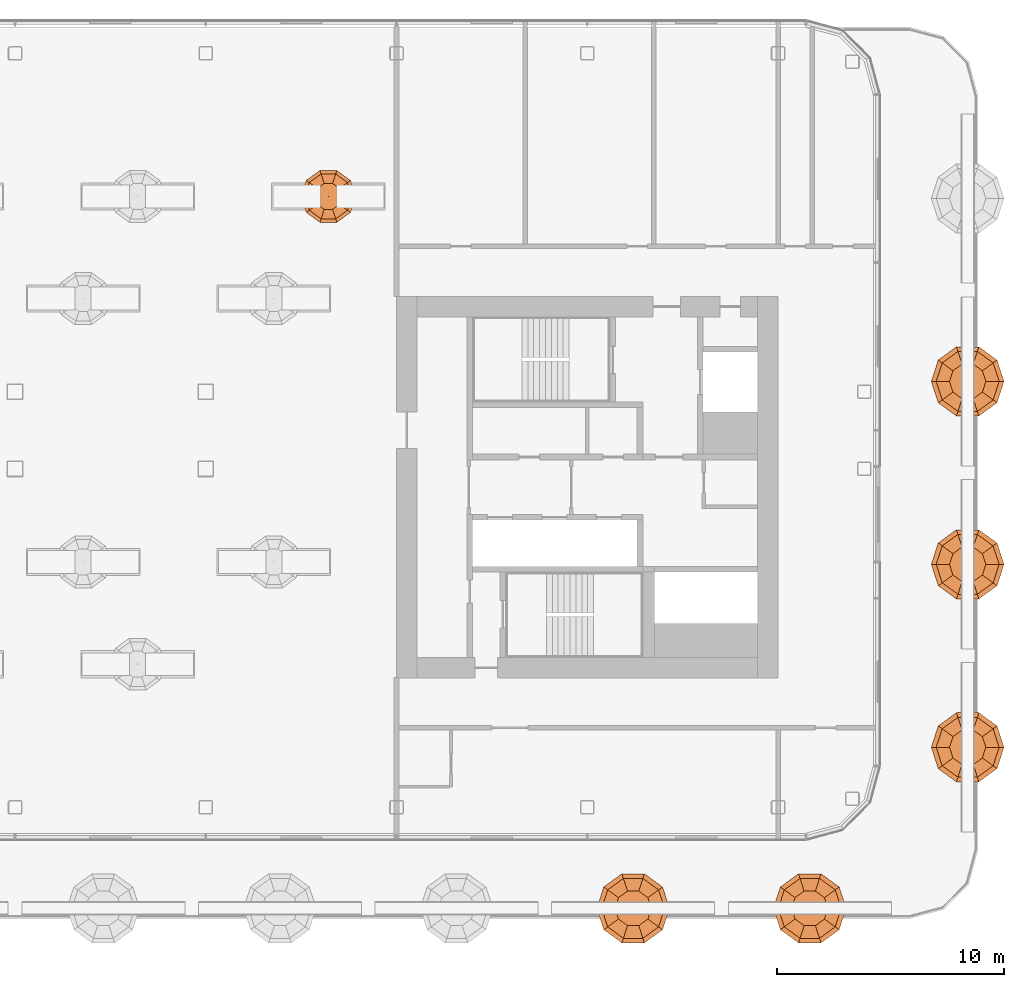
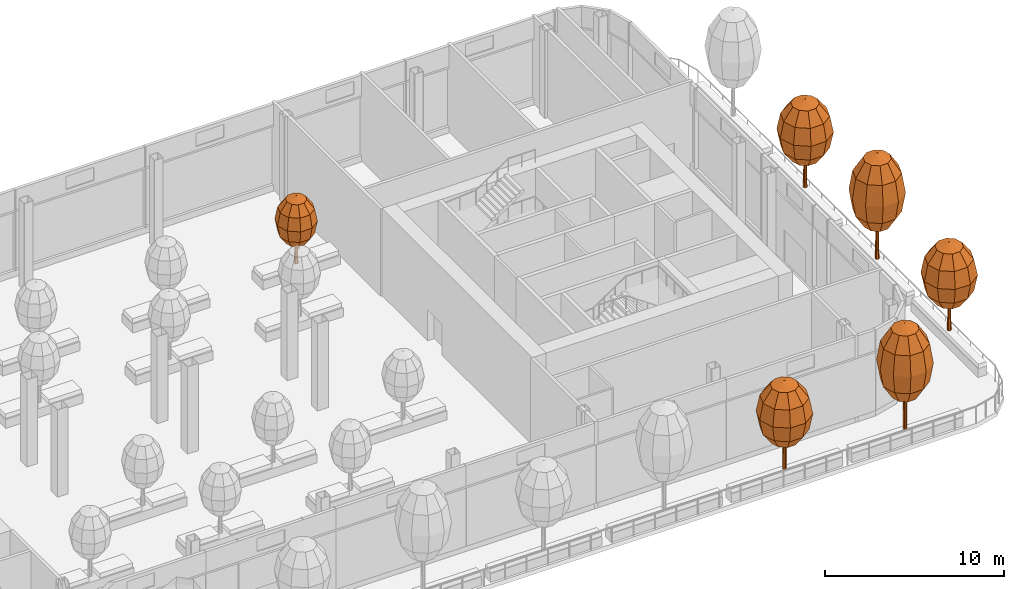
# One storey, part 40 of 41: 6 geographic elements.
"""IFC4 building model written with IfcOpenShell, lengths in metres."""

from ifc_helpers import new_model, si_unit, direction, frame, origin, place, context, subcontext, project, spatial, triangles, material, type_object, element, save


model = new_model("IFC4")

# Units and contexts
model_context = context("Model", 3, precision=1e-05, world=origin(), true_north=direction((0.0, 1.0)))
body_context = subcontext(model_context, "Body", "Model", "MODEL_VIEW")
ifc_project = project(units=[si_unit("LENGTHUNIT", "METRE"), si_unit("AREAUNIT", "SQUARE_METRE"), si_unit("VOLUMEUNIT", "CUBIC_METRE"), si_unit("PLANEANGLEUNIT", "RADIAN"), si_unit("MASSUNIT", "GRAM", prefix="KILO")], contexts=[model_context])

# Site, building, storey
site_placement = place(None, origin())
site = spatial("IfcSite", under=ifc_project, at=site_placement, CompositionType="ELEMENT")
building_placement = place(site_placement, origin())
building = spatial("IfcBuilding", under=site, at=building_placement, Name="Hakoniwa Tower and Hamabe Station Hall", CompositionType="ELEMENT")
storey_placement = place(building_placement, frame((0.0, 0.0, 180.199951171875)))
storey = spatial("IfcBuildingStorey", under=building, at=storey_placement, Name="L51", CompositionType="ELEMENT", Elevation=180.199951171875)

# Geographic elements
ifc_material_1 = material(Name="Tree foliage")
geographic_element_type_1 = type_object("IfcGeographicElementType", Name="Camellia 4.6 m", PredefinedType="USERDEFINED", material=ifc_material_1)
geographic_element_1_placement = place(storey_placement, frame((13.800048828125, 12.800048828125, 0.60009765625)))
element("IfcGeographicElement", 1, at=geographic_element_1_placement, inside=storey, type_object=geographic_element_type_1, Name="Camellia 4-6 m", ObjectType="TREE", PredefinedType="USERDEFINED", context=body_context, shape_type="Tessellation", body=[
    triangles([(0.125, 0.0, 0.0), (0.08837890625, 0.08837890625, 0.0), (0.0, 0.125, 0.0), (-0.08837890625, 0.08837890625, 0.0), (-0.125, 0.0, 0.0), (-0.08837890625, -0.08837890625, 0.0), (0.0, -0.125, 0.0), (0.08837890625, -0.08837890625, 0.0), (0.074951171875, 0.0, 2.778564453125), (0.052978515625, 0.052978515625, 2.778564453125), (0.0, 0.074951171875, 2.778564453125), (-0.052978515625, 0.052978515625, 2.778564453125), (-0.074951171875, 0.0, 2.778564453125), (-0.052978515625, -0.052978515625, 2.778564453125), (0.0, -0.074951171875, 2.778564453125), (0.052978515625, -0.052978515625, 2.778564453125), (0.0, 0.0, 0.0), (0.0, 0.0, 2.778564453125)], [[1, 2, 10], [1, 10, 9], [17, 2, 1], [18, 9, 10], [2, 3, 11], [2, 11, 10], [17, 3, 2], [18, 10, 11], [3, 4, 12], [3, 12, 11], [17, 4, 3], [18, 11, 12], [4, 5, 13], [4, 13, 12], [17, 5, 4], [18, 12, 13], [5, 6, 14], [5, 14, 13], [17, 6, 5], [18, 13, 14], [6, 7, 15], [6, 15, 14], [17, 7, 6], [18, 14, 15], [7, 8, 16], [7, 16, 15], [17, 8, 7], [18, 15, 16], [8, 1, 9], [8, 9, 16], [17, 1, 8], [18, 16, 9]], closed=True),
    triangles([(0.0, 0.0, 1.2880859375), (0.599853515625, 0.0, 1.510009765625), (0.4853515625, 0.3525390625, 1.510009765625), (0.185302734375, 0.570556640625, 1.510009765625), (-0.185302734375, 0.570556640625, 1.510009765625), (-0.4853515625, 0.3525390625, 1.510009765625), (-0.599853515625, 0.0, 1.510009765625), (-0.4853515625, -0.3525390625, 1.510009765625), (-0.185302734375, -0.570556640625, 1.510009765625), (0.185302734375, -0.570556640625, 1.510009765625), (0.4853515625, -0.3525390625, 1.510009765625), (1.039306640625, 0.0, 2.115966796875), (0.8408203125, 0.61083984375, 2.115966796875), (0.321044921875, 0.98828125, 2.115966796875), (-0.321044921875, 0.98828125, 2.115966796875), (-0.8408203125, 0.61083984375, 2.115966796875), (-1.039306640625, 0.0, 2.115966796875), (-0.8408203125, -0.61083984375, 2.115966796875), (-0.321044921875, -0.98828125, 2.115966796875), (0.321044921875, -0.98828125, 2.115966796875), (0.8408203125, -0.61083984375, 2.115966796875), (1.199951171875, 0.0, 2.944091796875), (0.970703125, 0.705322265625, 2.944091796875), (0.370849609375, 1.14111328125, 2.944091796875), (-0.370849609375, 1.14111328125, 2.944091796875), (-0.970703125, 0.705322265625, 2.944091796875), (-1.199951171875, 0.0, 2.944091796875), (-0.970703125, -0.705322265625, 2.944091796875), (-0.370849609375, -1.14111328125, 2.944091796875), (0.370849609375, -1.14111328125, 2.944091796875), (0.970703125, -0.705322265625, 2.944091796875), (1.039306640625, 0.0, 3.77197265625), (0.8408203125, 0.61083984375, 3.77197265625), (0.321044921875, 0.98828125, 3.77197265625), (-0.321044921875, 0.98828125, 3.77197265625), (-0.8408203125, 0.61083984375, 3.77197265625), (-1.039306640625, 0.0, 3.77197265625), (-0.8408203125, -0.61083984375, 3.77197265625), (-0.321044921875, -0.98828125, 3.77197265625), (0.321044921875, -0.98828125, 3.77197265625), (0.8408203125, -0.61083984375, 3.77197265625), (0.599853515625, 0.0, 4.378173828125), (0.4853515625, 0.3525390625, 4.378173828125), (0.185302734375, 0.570556640625, 4.378173828125), (-0.185302734375, 0.570556640625, 4.378173828125), (-0.4853515625, 0.3525390625, 4.378173828125), (-0.599853515625, 0.0, 4.378173828125), (-0.4853515625, -0.3525390625, 4.378173828125), (-0.185302734375, -0.570556640625, 4.378173828125), (0.185302734375, -0.570556640625, 4.378173828125), (0.4853515625, -0.3525390625, 4.378173828125), (0.0, 0.0, 4.60009765625)], [[1, 3, 2], [1, 4, 3], [1, 5, 4], [1, 6, 5], [1, 7, 6], [1, 8, 7], [1, 9, 8], [1, 10, 9], [1, 11, 10], [1, 2, 11], [2, 3, 13], [2, 13, 12], [3, 4, 14], [3, 14, 13], [4, 5, 15], [4, 15, 14], [5, 6, 16], [5, 16, 15], [6, 7, 17], [6, 17, 16], [7, 8, 18], [7, 18, 17], [8, 9, 19], [8, 19, 18], [9, 10, 20], [9, 20, 19], [10, 11, 21], [10, 21, 20], [11, 2, 12], [11, 12, 21], [12, 13, 23], [12, 23, 22], [13, 14, 24], [13, 24, 23], [14, 15, 25], [14, 25, 24], [15, 16, 26], [15, 26, 25], [16, 17, 27], [16, 27, 26], [17, 18, 28], [17, 28, 27], [18, 19, 29], [18, 29, 28], [19, 20, 30], [19, 30, 29], [20, 21, 31], [20, 31, 30], [21, 12, 22], [21, 22, 31], [22, 23, 33], [22, 33, 32], [23, 24, 34], [23, 34, 33], [24, 25, 35], [24, 35, 34], [25, 26, 36], [25, 36, 35], [26, 27, 37], [26, 37, 36], [27, 28, 38], [27, 38, 37], [28, 29, 39], [28, 39, 38], [29, 30, 40], [29, 40, 39], [30, 31, 41], [30, 41, 40], [31, 22, 32], [31, 32, 41], [32, 33, 43], [32, 43, 42], [33, 34, 44], [33, 44, 43], [34, 35, 45], [34, 45, 44], [35, 36, 46], [35, 46, 45], [36, 37, 47], [36, 47, 46], [37, 38, 48], [37, 48, 47], [38, 39, 49], [38, 49, 48], [39, 40, 50], [39, 50, 49], [40, 41, 51], [40, 51, 50], [41, 32, 42], [41, 42, 51], [52, 42, 43], [52, 43, 44], [52, 44, 45], [52, 45, 46], [52, 46, 47], [52, 47, 48], [52, 48, 49], [52, 49, 50], [52, 50, 51], [52, 51, 42]], closed=True),
])
ifc_material_2 = material(Name="Tree foliage")
geographic_element_type_2 = type_object("IfcGeographicElementType", Name="Japanese maple 7.2 m", PredefinedType="USERDEFINED", material=ifc_material_2)
geographic_element_2_placement = place(storey_placement, frame((34.998046875, -18.551025390625, 0.900146484375)))
element("IfcGeographicElement", 2, at=geographic_element_2_placement, inside=storey, type_object=geographic_element_type_2, Name="Japanese maple 7-2 m", ObjectType="TREE", PredefinedType="USERDEFINED", context=body_context, shape_type="Tessellation", body=[
    triangles([(0.125, 0.0, 0.0), (0.08837890625, 0.08837890625, 0.0), (0.0, 0.125, 0.0), (-0.08837890625, 0.08837890625, 0.0), (-0.125, 0.0, 0.0), (-0.08837890625, -0.08837890625, 0.0), (0.0, -0.125, 0.0), (0.08837890625, -0.08837890625, 0.0), (0.074951171875, 0.0, 4.348876953125), (0.052978515625, 0.052978515625, 4.348876953125), (0.0, 0.074951171875, 4.348876953125), (-0.052978515625, 0.052978515625, 4.348876953125), (-0.074951171875, 0.0, 4.348876953125), (-0.052978515625, -0.052978515625, 4.348876953125), (0.0, -0.074951171875, 4.348876953125), (0.052978515625, -0.052978515625, 4.348876953125), (0.0, 0.0, 0.0), (0.0, 0.0, 4.348876953125)], [[1, 2, 10], [1, 10, 9], [17, 2, 1], [18, 9, 10], [2, 3, 11], [2, 11, 10], [17, 3, 2], [18, 10, 11], [3, 4, 12], [3, 12, 11], [17, 4, 3], [18, 11, 12], [4, 5, 13], [4, 13, 12], [17, 5, 4], [18, 12, 13], [5, 6, 14], [5, 14, 13], [17, 6, 5], [18, 13, 14], [6, 7, 15], [6, 15, 14], [17, 7, 6], [18, 14, 15], [7, 8, 16], [7, 16, 15], [17, 8, 7], [18, 15, 16], [8, 1, 9], [8, 9, 16], [17, 1, 8], [18, 16, 9]], closed=True),
    triangles([(0.0, 0.0, 2.015869140625), (0.800048828125, 0.0, 2.36328125), (0.647216796875, 0.47021484375, 2.36328125), (0.247314453125, 0.7607421875, 2.36328125), (-0.247314453125, 0.7607421875, 2.36328125), (-0.647216796875, 0.47021484375, 2.36328125), (-0.800048828125, 0.0, 2.36328125), (-0.647216796875, -0.47021484375, 2.36328125), (-0.247314453125, -0.7607421875, 2.36328125), (0.247314453125, -0.7607421875, 2.36328125), (0.647216796875, -0.47021484375, 2.36328125), (1.385498046875, 0.0, 3.31201171875), (1.12109375, 0.814453125, 3.31201171875), (0.42822265625, 1.31787109375, 3.31201171875), (-0.42822265625, 1.31787109375, 3.31201171875), (-1.12109375, 0.814453125, 3.31201171875), (-1.385498046875, 0.0, 3.31201171875), (-1.12109375, -0.814453125, 3.31201171875), (-0.42822265625, -1.31787109375, 3.31201171875), (0.42822265625, -1.31787109375, 3.31201171875), (1.12109375, -0.814453125, 3.31201171875), (1.60009765625, 0.0, 4.60791015625), (1.29443359375, 0.9404296875, 4.60791015625), (0.494384765625, 1.521728515625, 4.60791015625), (-0.494384765625, 1.521728515625, 4.60791015625), (-1.29443359375, 0.9404296875, 4.60791015625), (-1.60009765625, 0.0, 4.60791015625), (-1.29443359375, -0.9404296875, 4.60791015625), (-0.494384765625, -1.521728515625, 4.60791015625), (0.494384765625, -1.521728515625, 4.60791015625), (1.29443359375, -0.9404296875, 4.60791015625), (1.385498046875, 0.0, 5.904052734375), (1.12109375, 0.814453125, 5.904052734375), (0.42822265625, 1.31787109375, 5.904052734375), (-0.42822265625, 1.31787109375, 5.904052734375), (-1.12109375, 0.814453125, 5.904052734375), (-1.385498046875, 0.0, 5.904052734375), (-1.12109375, -0.814453125, 5.904052734375), (-0.42822265625, -1.31787109375, 5.904052734375), (0.42822265625, -1.31787109375, 5.904052734375), (1.12109375, -0.814453125, 5.904052734375), (0.800048828125, 0.0, 6.852783203125), (0.647216796875, 0.47021484375, 6.852783203125), (0.247314453125, 0.7607421875, 6.852783203125), (-0.247314453125, 0.7607421875, 6.852783203125), (-0.647216796875, 0.47021484375, 6.852783203125), (-0.800048828125, 0.0, 6.852783203125), (-0.647216796875, -0.47021484375, 6.852783203125), (-0.247314453125, -0.7607421875, 6.852783203125), (0.247314453125, -0.7607421875, 6.852783203125), (0.647216796875, -0.47021484375, 6.852783203125), (0.0, 0.0, 7.199951171875)], [[1, 3, 2], [1, 4, 3], [1, 5, 4], [1, 6, 5], [1, 7, 6], [1, 8, 7], [1, 9, 8], [1, 10, 9], [1, 11, 10], [1, 2, 11], [2, 3, 13], [2, 13, 12], [3, 4, 14], [3, 14, 13], [4, 5, 15], [4, 15, 14], [5, 6, 16], [5, 16, 15], [6, 7, 17], [6, 17, 16], [7, 8, 18], [7, 18, 17], [8, 9, 19], [8, 19, 18], [9, 10, 20], [9, 20, 19], [10, 11, 21], [10, 21, 20], [11, 2, 12], [11, 12, 21], [12, 13, 23], [12, 23, 22], [13, 14, 24], [13, 24, 23], [14, 15, 25], [14, 25, 24], [15, 16, 26], [15, 26, 25], [16, 17, 27], [16, 27, 26], [17, 18, 28], [17, 28, 27], [18, 19, 29], [18, 29, 28], [19, 20, 30], [19, 30, 29], [20, 21, 31], [20, 31, 30], [21, 12, 22], [21, 22, 31], [22, 23, 33], [22, 33, 32], [23, 24, 34], [23, 34, 33], [24, 25, 35], [24, 35, 34], [25, 26, 36], [25, 36, 35], [26, 27, 37], [26, 37, 36], [27, 28, 38], [27, 38, 37], [28, 29, 39], [28, 39, 38], [29, 30, 40], [29, 40, 39], [30, 31, 41], [30, 41, 40], [31, 22, 32], [31, 32, 41], [32, 33, 43], [32, 43, 42], [33, 34, 44], [33, 44, 43], [34, 35, 45], [34, 45, 44], [35, 36, 46], [35, 46, 45], [36, 37, 47], [36, 47, 46], [37, 38, 48], [37, 48, 47], [38, 39, 49], [38, 49, 48], [39, 40, 50], [39, 50, 49], [40, 41, 51], [40, 51, 50], [41, 32, 42], [41, 42, 51], [52, 42, 43], [52, 43, 44], [52, 44, 45], [52, 45, 46], [52, 46, 47], [52, 47, 48], [52, 48, 49], [52, 49, 50], [52, 50, 51], [52, 51, 42]], closed=True),
])
geographic_element_3_placement = place(storey_placement, frame((41.950927734375, -3.403076171875, 0.900146484375)))
element("IfcGeographicElement", 3, at=geographic_element_3_placement, inside=storey, type_object=geographic_element_type_2, Name="Japanese maple 7-2 m", ObjectType="TREE", PredefinedType="USERDEFINED", context=body_context, shape_type="Tessellation", body=[
    triangles([(0.125, 0.0, 0.0), (0.08837890625, 0.08837890625, 0.0), (0.0, 0.125, 0.0), (-0.08837890625, 0.08837890625, 0.0), (-0.125, 0.0, 0.0), (-0.08837890625, -0.08837890625, 0.0), (0.0, -0.125, 0.0), (0.08837890625, -0.08837890625, 0.0), (0.074951171875, 0.0, 4.348876953125), (0.052978515625, 0.052978515625, 4.348876953125), (0.0, 0.074951171875, 4.348876953125), (-0.052978515625, 0.052978515625, 4.348876953125), (-0.074951171875, 0.0, 4.348876953125), (-0.052978515625, -0.052978515625, 4.348876953125), (0.0, -0.074951171875, 4.348876953125), (0.052978515625, -0.052978515625, 4.348876953125), (0.0, 0.0, 0.0), (0.0, 0.0, 4.348876953125)], [[1, 2, 10], [1, 10, 9], [17, 2, 1], [18, 9, 10], [2, 3, 11], [2, 11, 10], [17, 3, 2], [18, 10, 11], [3, 4, 12], [3, 12, 11], [17, 4, 3], [18, 11, 12], [4, 5, 13], [4, 13, 12], [17, 5, 4], [18, 12, 13], [5, 6, 14], [5, 14, 13], [17, 6, 5], [18, 13, 14], [6, 7, 15], [6, 15, 14], [17, 7, 6], [18, 14, 15], [7, 8, 16], [7, 16, 15], [17, 8, 7], [18, 15, 16], [8, 1, 9], [8, 9, 16], [17, 1, 8], [18, 16, 9]], closed=True),
    triangles([(0.0, 0.0, 2.015869140625), (0.800048828125, 0.0, 2.36328125), (0.647216796875, 0.47021484375, 2.36328125), (0.247314453125, 0.7607421875, 2.36328125), (-0.247314453125, 0.7607421875, 2.36328125), (-0.647216796875, 0.47021484375, 2.36328125), (-0.800048828125, 0.0, 2.36328125), (-0.647216796875, -0.47021484375, 2.36328125), (-0.247314453125, -0.7607421875, 2.36328125), (0.247314453125, -0.7607421875, 2.36328125), (0.647216796875, -0.47021484375, 2.36328125), (1.385498046875, 0.0, 3.31201171875), (1.12109375, 0.814453125, 3.31201171875), (0.42822265625, 1.31787109375, 3.31201171875), (-0.42822265625, 1.31787109375, 3.31201171875), (-1.12109375, 0.814453125, 3.31201171875), (-1.385498046875, 0.0, 3.31201171875), (-1.12109375, -0.814453125, 3.31201171875), (-0.42822265625, -1.31787109375, 3.31201171875), (0.42822265625, -1.31787109375, 3.31201171875), (1.12109375, -0.814453125, 3.31201171875), (1.60009765625, 0.0, 4.60791015625), (1.29443359375, 0.9404296875, 4.60791015625), (0.494384765625, 1.521728515625, 4.60791015625), (-0.494384765625, 1.521728515625, 4.60791015625), (-1.29443359375, 0.9404296875, 4.60791015625), (-1.60009765625, 0.0, 4.60791015625), (-1.29443359375, -0.9404296875, 4.60791015625), (-0.494384765625, -1.521728515625, 4.60791015625), (0.494384765625, -1.521728515625, 4.60791015625), (1.29443359375, -0.9404296875, 4.60791015625), (1.385498046875, 0.0, 5.904052734375), (1.12109375, 0.814453125, 5.904052734375), (0.42822265625, 1.31787109375, 5.904052734375), (-0.42822265625, 1.31787109375, 5.904052734375), (-1.12109375, 0.814453125, 5.904052734375), (-1.385498046875, 0.0, 5.904052734375), (-1.12109375, -0.814453125, 5.904052734375), (-0.42822265625, -1.31787109375, 5.904052734375), (0.42822265625, -1.31787109375, 5.904052734375), (1.12109375, -0.814453125, 5.904052734375), (0.800048828125, 0.0, 6.852783203125), (0.647216796875, 0.47021484375, 6.852783203125), (0.247314453125, 0.7607421875, 6.852783203125), (-0.247314453125, 0.7607421875, 6.852783203125), (-0.647216796875, 0.47021484375, 6.852783203125), (-0.800048828125, 0.0, 6.852783203125), (-0.647216796875, -0.47021484375, 6.852783203125), (-0.247314453125, -0.7607421875, 6.852783203125), (0.247314453125, -0.7607421875, 6.852783203125), (0.647216796875, -0.47021484375, 6.852783203125), (0.0, 0.0, 7.199951171875)], [[1, 3, 2], [1, 4, 3], [1, 5, 4], [1, 6, 5], [1, 7, 6], [1, 8, 7], [1, 9, 8], [1, 10, 9], [1, 11, 10], [1, 2, 11], [2, 3, 13], [2, 13, 12], [3, 4, 14], [3, 14, 13], [4, 5, 15], [4, 15, 14], [5, 6, 16], [5, 16, 15], [6, 7, 17], [6, 17, 16], [7, 8, 18], [7, 18, 17], [8, 9, 19], [8, 19, 18], [9, 10, 20], [9, 20, 19], [10, 11, 21], [10, 21, 20], [11, 2, 12], [11, 12, 21], [12, 13, 23], [12, 23, 22], [13, 14, 24], [13, 24, 23], [14, 15, 25], [14, 25, 24], [15, 16, 26], [15, 26, 25], [16, 17, 27], [16, 27, 26], [17, 18, 28], [17, 28, 27], [18, 19, 29], [18, 29, 28], [19, 20, 30], [19, 30, 29], [20, 21, 31], [20, 31, 30], [21, 12, 22], [21, 22, 31], [22, 23, 33], [22, 33, 32], [23, 24, 34], [23, 34, 33], [24, 25, 35], [24, 35, 34], [25, 26, 36], [25, 36, 35], [26, 27, 37], [26, 37, 36], [27, 28, 38], [27, 38, 37], [28, 29, 39], [28, 39, 38], [29, 30, 40], [29, 40, 39], [30, 31, 41], [30, 41, 40], [31, 22, 32], [31, 32, 41], [32, 33, 43], [32, 43, 42], [33, 34, 44], [33, 44, 43], [34, 35, 45], [34, 45, 44], [35, 36, 46], [35, 46, 45], [36, 37, 47], [36, 47, 46], [37, 38, 48], [37, 48, 47], [38, 39, 49], [38, 49, 48], [39, 40, 50], [39, 50, 49], [40, 41, 51], [40, 51, 50], [41, 32, 42], [41, 42, 51], [52, 42, 43], [52, 43, 44], [52, 44, 45], [52, 45, 46], [52, 46, 47], [52, 47, 48], [52, 48, 49], [52, 49, 50], [52, 50, 51], [52, 51, 42]], closed=True),
])
ifc_material_3 = material(Name="Tree foliage")
geographic_element_type_3 = type_object("IfcGeographicElementType", Name="Osmanthus 6.0 m", PredefinedType="USERDEFINED", material=ifc_material_3)
geographic_element_4_placement = place(storey_placement, frame((27.220703125, -18.551025390625, 0.900146484375)))
element("IfcGeographicElement", 4, at=geographic_element_4_placement, inside=storey, type_object=geographic_element_type_3, Name="Osmanthus 6-0 m", ObjectType="TREE", PredefinedType="USERDEFINED", context=body_context, shape_type="Tessellation", body=[
    triangles([(0.125, 0.0, 0.0), (0.08837890625, 0.08837890625, 0.0), (0.0, 0.125, 0.0), (-0.08837890625, 0.08837890625, 0.0), (-0.125, 0.0, 0.0), (-0.08837890625, -0.08837890625, 0.0), (0.0, -0.125, 0.0), (0.08837890625, -0.08837890625, 0.0), (0.074951171875, 0.0, 3.6240234375), (0.052978515625, 0.052978515625, 3.6240234375), (0.0, 0.074951171875, 3.6240234375), (-0.052978515625, 0.052978515625, 3.6240234375), (-0.074951171875, 0.0, 3.6240234375), (-0.052978515625, -0.052978515625, 3.6240234375), (0.0, -0.074951171875, 3.6240234375), (0.052978515625, -0.052978515625, 3.6240234375), (0.0, 0.0, 0.0), (0.0, 0.0, 3.6240234375)], [[1, 2, 10], [1, 10, 9], [17, 2, 1], [18, 9, 10], [2, 3, 11], [2, 11, 10], [17, 3, 2], [18, 10, 11], [3, 4, 12], [3, 12, 11], [17, 4, 3], [18, 11, 12], [4, 5, 13], [4, 13, 12], [17, 5, 4], [18, 12, 13], [5, 6, 14], [5, 14, 13], [17, 6, 5], [18, 13, 14], [6, 7, 15], [6, 15, 14], [17, 7, 6], [18, 14, 15], [7, 8, 16], [7, 16, 15], [17, 8, 7], [18, 15, 16], [8, 1, 9], [8, 9, 16], [17, 1, 8], [18, 16, 9]], closed=True),
    triangles([(0.0, 0.0, 1.679931640625), (0.800048828125, 0.0, 1.969482421875), (0.647216796875, 0.47021484375, 1.969482421875), (0.247314453125, 0.7607421875, 1.969482421875), (-0.247314453125, 0.7607421875, 1.969482421875), (-0.647216796875, 0.47021484375, 1.969482421875), (-0.800048828125, 0.0, 1.969482421875), (-0.647216796875, -0.47021484375, 1.969482421875), (-0.247314453125, -0.7607421875, 1.969482421875), (0.247314453125, -0.7607421875, 1.969482421875), (0.647216796875, -0.47021484375, 1.969482421875), (1.385498046875, 0.0, 2.760009765625), (1.12109375, 0.814453125, 2.760009765625), (0.42822265625, 1.31787109375, 2.760009765625), (-0.42822265625, 1.31787109375, 2.760009765625), (-1.12109375, 0.814453125, 2.760009765625), (-1.385498046875, 0.0, 2.760009765625), (-1.12109375, -0.814453125, 2.760009765625), (-0.42822265625, -1.31787109375, 2.760009765625), (0.42822265625, -1.31787109375, 2.760009765625), (1.12109375, -0.814453125, 2.760009765625), (1.60009765625, 0.0, 3.840087890625), (1.29443359375, 0.9404296875, 3.840087890625), (0.494384765625, 1.521728515625, 3.840087890625), (-0.494384765625, 1.521728515625, 3.840087890625), (-1.29443359375, 0.9404296875, 3.840087890625), (-1.60009765625, 0.0, 3.840087890625), (-1.29443359375, -0.9404296875, 3.840087890625), (-0.494384765625, -1.521728515625, 3.840087890625), (0.494384765625, -1.521728515625, 3.840087890625), (1.29443359375, -0.9404296875, 3.840087890625), (1.385498046875, 0.0, 4.919921875), (1.12109375, 0.814453125, 4.919921875), (0.42822265625, 1.31787109375, 4.919921875), (-0.42822265625, 1.31787109375, 4.919921875), (-1.12109375, 0.814453125, 4.919921875), (-1.385498046875, 0.0, 4.919921875), (-1.12109375, -0.814453125, 4.919921875), (-0.42822265625, -1.31787109375, 4.919921875), (0.42822265625, -1.31787109375, 4.919921875), (1.12109375, -0.814453125, 4.919921875), (0.800048828125, 0.0, 5.710693359375), (0.647216796875, 0.47021484375, 5.710693359375), (0.247314453125, 0.7607421875, 5.710693359375), (-0.247314453125, 0.7607421875, 5.710693359375), (-0.647216796875, 0.47021484375, 5.710693359375), (-0.800048828125, 0.0, 5.710693359375), (-0.647216796875, -0.47021484375, 5.710693359375), (-0.247314453125, -0.7607421875, 5.710693359375), (0.247314453125, -0.7607421875, 5.710693359375), (0.647216796875, -0.47021484375, 5.710693359375), (0.0, 0.0, 6.0)], [[1, 3, 2], [1, 4, 3], [1, 5, 4], [1, 6, 5], [1, 7, 6], [1, 8, 7], [1, 9, 8], [1, 10, 9], [1, 11, 10], [1, 2, 11], [2, 3, 13], [2, 13, 12], [3, 4, 14], [3, 14, 13], [4, 5, 15], [4, 15, 14], [5, 6, 16], [5, 16, 15], [6, 7, 17], [6, 17, 16], [7, 8, 18], [7, 18, 17], [8, 9, 19], [8, 19, 18], [9, 10, 20], [9, 20, 19], [10, 11, 21], [10, 21, 20], [11, 2, 12], [11, 12, 21], [12, 13, 23], [12, 23, 22], [13, 14, 24], [13, 24, 23], [14, 15, 25], [14, 25, 24], [15, 16, 26], [15, 26, 25], [16, 17, 27], [16, 27, 26], [17, 18, 28], [17, 28, 27], [18, 19, 29], [18, 29, 28], [19, 20, 30], [19, 30, 29], [20, 21, 31], [20, 31, 30], [21, 12, 22], [21, 22, 31], [22, 23, 33], [22, 33, 32], [23, 24, 34], [23, 34, 33], [24, 25, 35], [24, 35, 34], [25, 26, 36], [25, 36, 35], [26, 27, 37], [26, 37, 36], [27, 28, 38], [27, 38, 37], [28, 29, 39], [28, 39, 38], [29, 30, 40], [29, 40, 39], [30, 31, 41], [30, 41, 40], [31, 22, 32], [31, 32, 41], [32, 33, 43], [32, 43, 42], [33, 34, 44], [33, 44, 43], [34, 35, 45], [34, 45, 44], [35, 36, 46], [35, 46, 45], [36, 37, 47], [36, 47, 46], [37, 38, 48], [37, 48, 47], [38, 39, 49], [38, 49, 48], [39, 40, 50], [39, 50, 49], [40, 41, 51], [40, 51, 50], [41, 32, 42], [41, 42, 51], [52, 42, 43], [52, 43, 44], [52, 44, 45], [52, 45, 46], [52, 46, 47], [52, 47, 48], [52, 48, 49], [52, 49, 50], [52, 50, 51], [52, 51, 42]], closed=True),
])
geographic_element_5_placement = place(storey_placement, frame((41.950927734375, -11.458984375, 0.900146484375)))
element("IfcGeographicElement", 5, at=geographic_element_5_placement, inside=storey, type_object=geographic_element_type_3, Name="Osmanthus 6-0 m", ObjectType="TREE", PredefinedType="USERDEFINED", context=body_context, shape_type="Tessellation", body=[
    triangles([(0.125, 0.0, 0.0), (0.08837890625, 0.08837890625, 0.0), (0.0, 0.125, 0.0), (-0.08837890625, 0.08837890625, 0.0), (-0.125, 0.0, 0.0), (-0.08837890625, -0.08837890625, 0.0), (0.0, -0.125, 0.0), (0.08837890625, -0.08837890625, 0.0), (0.074951171875, 0.0, 3.6240234375), (0.052978515625, 0.052978515625, 3.6240234375), (0.0, 0.074951171875, 3.6240234375), (-0.052978515625, 0.052978515625, 3.6240234375), (-0.074951171875, 0.0, 3.6240234375), (-0.052978515625, -0.052978515625, 3.6240234375), (0.0, -0.074951171875, 3.6240234375), (0.052978515625, -0.052978515625, 3.6240234375), (0.0, 0.0, 0.0), (0.0, 0.0, 3.6240234375)], [[1, 2, 10], [1, 10, 9], [17, 2, 1], [18, 9, 10], [2, 3, 11], [2, 11, 10], [17, 3, 2], [18, 10, 11], [3, 4, 12], [3, 12, 11], [17, 4, 3], [18, 11, 12], [4, 5, 13], [4, 13, 12], [17, 5, 4], [18, 12, 13], [5, 6, 14], [5, 14, 13], [17, 6, 5], [18, 13, 14], [6, 7, 15], [6, 15, 14], [17, 7, 6], [18, 14, 15], [7, 8, 16], [7, 16, 15], [17, 8, 7], [18, 15, 16], [8, 1, 9], [8, 9, 16], [17, 1, 8], [18, 16, 9]], closed=True),
    triangles([(0.0, 0.0, 1.679931640625), (0.800048828125, 0.0, 1.969482421875), (0.647216796875, 0.47021484375, 1.969482421875), (0.247314453125, 0.7607421875, 1.969482421875), (-0.247314453125, 0.7607421875, 1.969482421875), (-0.647216796875, 0.47021484375, 1.969482421875), (-0.800048828125, 0.0, 1.969482421875), (-0.647216796875, -0.47021484375, 1.969482421875), (-0.247314453125, -0.7607421875, 1.969482421875), (0.247314453125, -0.7607421875, 1.969482421875), (0.647216796875, -0.47021484375, 1.969482421875), (1.385498046875, 0.0, 2.760009765625), (1.12109375, 0.814453125, 2.760009765625), (0.42822265625, 1.31787109375, 2.760009765625), (-0.42822265625, 1.31787109375, 2.760009765625), (-1.12109375, 0.814453125, 2.760009765625), (-1.385498046875, 0.0, 2.760009765625), (-1.12109375, -0.814453125, 2.760009765625), (-0.42822265625, -1.31787109375, 2.760009765625), (0.42822265625, -1.31787109375, 2.760009765625), (1.12109375, -0.814453125, 2.760009765625), (1.60009765625, 0.0, 3.840087890625), (1.29443359375, 0.9404296875, 3.840087890625), (0.494384765625, 1.521728515625, 3.840087890625), (-0.494384765625, 1.521728515625, 3.840087890625), (-1.29443359375, 0.9404296875, 3.840087890625), (-1.60009765625, 0.0, 3.840087890625), (-1.29443359375, -0.9404296875, 3.840087890625), (-0.494384765625, -1.521728515625, 3.840087890625), (0.494384765625, -1.521728515625, 3.840087890625), (1.29443359375, -0.9404296875, 3.840087890625), (1.385498046875, 0.0, 4.919921875), (1.12109375, 0.814453125, 4.919921875), (0.42822265625, 1.31787109375, 4.919921875), (-0.42822265625, 1.31787109375, 4.919921875), (-1.12109375, 0.814453125, 4.919921875), (-1.385498046875, 0.0, 4.919921875), (-1.12109375, -0.814453125, 4.919921875), (-0.42822265625, -1.31787109375, 4.919921875), (0.42822265625, -1.31787109375, 4.919921875), (1.12109375, -0.814453125, 4.919921875), (0.800048828125, 0.0, 5.710693359375), (0.647216796875, 0.47021484375, 5.710693359375), (0.247314453125, 0.7607421875, 5.710693359375), (-0.247314453125, 0.7607421875, 5.710693359375), (-0.647216796875, 0.47021484375, 5.710693359375), (-0.800048828125, 0.0, 5.710693359375), (-0.647216796875, -0.47021484375, 5.710693359375), (-0.247314453125, -0.7607421875, 5.710693359375), (0.247314453125, -0.7607421875, 5.710693359375), (0.647216796875, -0.47021484375, 5.710693359375), (0.0, 0.0, 6.0)], [[1, 3, 2], [1, 4, 3], [1, 5, 4], [1, 6, 5], [1, 7, 6], [1, 8, 7], [1, 9, 8], [1, 10, 9], [1, 11, 10], [1, 2, 11], [2, 3, 13], [2, 13, 12], [3, 4, 14], [3, 14, 13], [4, 5, 15], [4, 15, 14], [5, 6, 16], [5, 16, 15], [6, 7, 17], [6, 17, 16], [7, 8, 18], [7, 18, 17], [8, 9, 19], [8, 19, 18], [9, 10, 20], [9, 20, 19], [10, 11, 21], [10, 21, 20], [11, 2, 12], [11, 12, 21], [12, 13, 23], [12, 23, 22], [13, 14, 24], [13, 24, 23], [14, 15, 25], [14, 25, 24], [15, 16, 26], [15, 26, 25], [16, 17, 27], [16, 27, 26], [17, 18, 28], [17, 28, 27], [18, 19, 29], [18, 29, 28], [19, 20, 30], [19, 30, 29], [20, 21, 31], [20, 31, 30], [21, 12, 22], [21, 22, 31], [22, 23, 33], [22, 33, 32], [23, 24, 34], [23, 34, 33], [24, 25, 35], [24, 35, 34], [25, 26, 36], [25, 36, 35], [26, 27, 37], [26, 37, 36], [27, 28, 38], [27, 38, 37], [28, 29, 39], [28, 39, 38], [29, 30, 40], [29, 40, 39], [30, 31, 41], [30, 41, 40], [31, 22, 32], [31, 32, 41], [32, 33, 43], [32, 43, 42], [33, 34, 44], [33, 44, 43], [34, 35, 45], [34, 45, 44], [35, 36, 46], [35, 46, 45], [36, 37, 47], [36, 47, 46], [37, 38, 48], [37, 48, 47], [38, 39, 49], [38, 49, 48], [39, 40, 50], [39, 50, 49], [40, 41, 51], [40, 51, 50], [41, 32, 42], [41, 42, 51], [52, 42, 43], [52, 43, 44], [52, 44, 45], [52, 45, 46], [52, 46, 47], [52, 47, 48], [52, 48, 49], [52, 49, 50], [52, 50, 51], [52, 51, 42]], closed=True),
])
geographic_element_6_placement = place(storey_placement, frame((41.950927734375, 4.653076171875, 0.900146484375)))
element("IfcGeographicElement", 6, at=geographic_element_6_placement, inside=storey, type_object=geographic_element_type_3, Name="Osmanthus 6-0 m", ObjectType="TREE", PredefinedType="USERDEFINED", context=body_context, shape_type="Tessellation", body=[
    triangles([(0.125, 0.0, 0.0), (0.08837890625, 0.08837890625, 0.0), (0.0, 0.125, 0.0), (-0.08837890625, 0.08837890625, 0.0), (-0.125, 0.0, 0.0), (-0.08837890625, -0.08837890625, 0.0), (0.0, -0.125, 0.0), (0.08837890625, -0.08837890625, 0.0), (0.074951171875, 0.0, 3.6240234375), (0.052978515625, 0.052978515625, 3.6240234375), (0.0, 0.074951171875, 3.6240234375), (-0.052978515625, 0.052978515625, 3.6240234375), (-0.074951171875, 0.0, 3.6240234375), (-0.052978515625, -0.052978515625, 3.6240234375), (0.0, -0.074951171875, 3.6240234375), (0.052978515625, -0.052978515625, 3.6240234375), (0.0, 0.0, 0.0), (0.0, 0.0, 3.6240234375)], [[1, 2, 10], [1, 10, 9], [17, 2, 1], [18, 9, 10], [2, 3, 11], [2, 11, 10], [17, 3, 2], [18, 10, 11], [3, 4, 12], [3, 12, 11], [17, 4, 3], [18, 11, 12], [4, 5, 13], [4, 13, 12], [17, 5, 4], [18, 12, 13], [5, 6, 14], [5, 14, 13], [17, 6, 5], [18, 13, 14], [6, 7, 15], [6, 15, 14], [17, 7, 6], [18, 14, 15], [7, 8, 16], [7, 16, 15], [17, 8, 7], [18, 15, 16], [8, 1, 9], [8, 9, 16], [17, 1, 8], [18, 16, 9]], closed=True),
    triangles([(0.0, 0.0, 1.679931640625), (0.800048828125, 0.0, 1.969482421875), (0.647216796875, 0.47021484375, 1.969482421875), (0.247314453125, 0.7607421875, 1.969482421875), (-0.247314453125, 0.7607421875, 1.969482421875), (-0.647216796875, 0.47021484375, 1.969482421875), (-0.800048828125, 0.0, 1.969482421875), (-0.647216796875, -0.47021484375, 1.969482421875), (-0.247314453125, -0.7607421875, 1.969482421875), (0.247314453125, -0.7607421875, 1.969482421875), (0.647216796875, -0.47021484375, 1.969482421875), (1.385498046875, 0.0, 2.760009765625), (1.12109375, 0.814453125, 2.760009765625), (0.42822265625, 1.31787109375, 2.760009765625), (-0.42822265625, 1.31787109375, 2.760009765625), (-1.12109375, 0.814453125, 2.760009765625), (-1.385498046875, 0.0, 2.760009765625), (-1.12109375, -0.814453125, 2.760009765625), (-0.42822265625, -1.31787109375, 2.760009765625), (0.42822265625, -1.31787109375, 2.760009765625), (1.12109375, -0.814453125, 2.760009765625), (1.60009765625, 0.0, 3.840087890625), (1.29443359375, 0.9404296875, 3.840087890625), (0.494384765625, 1.521728515625, 3.840087890625), (-0.494384765625, 1.521728515625, 3.840087890625), (-1.29443359375, 0.9404296875, 3.840087890625), (-1.60009765625, 0.0, 3.840087890625), (-1.29443359375, -0.9404296875, 3.840087890625), (-0.494384765625, -1.521728515625, 3.840087890625), (0.494384765625, -1.521728515625, 3.840087890625), (1.29443359375, -0.9404296875, 3.840087890625), (1.385498046875, 0.0, 4.919921875), (1.12109375, 0.814453125, 4.919921875), (0.42822265625, 1.31787109375, 4.919921875), (-0.42822265625, 1.31787109375, 4.919921875), (-1.12109375, 0.814453125, 4.919921875), (-1.385498046875, 0.0, 4.919921875), (-1.12109375, -0.814453125, 4.919921875), (-0.42822265625, -1.31787109375, 4.919921875), (0.42822265625, -1.31787109375, 4.919921875), (1.12109375, -0.814453125, 4.919921875), (0.800048828125, 0.0, 5.710693359375), (0.647216796875, 0.47021484375, 5.710693359375), (0.247314453125, 0.7607421875, 5.710693359375), (-0.247314453125, 0.7607421875, 5.710693359375), (-0.647216796875, 0.47021484375, 5.710693359375), (-0.800048828125, 0.0, 5.710693359375), (-0.647216796875, -0.47021484375, 5.710693359375), (-0.247314453125, -0.7607421875, 5.710693359375), (0.247314453125, -0.7607421875, 5.710693359375), (0.647216796875, -0.47021484375, 5.710693359375), (0.0, 0.0, 6.0)], [[1, 3, 2], [1, 4, 3], [1, 5, 4], [1, 6, 5], [1, 7, 6], [1, 8, 7], [1, 9, 8], [1, 10, 9], [1, 11, 10], [1, 2, 11], [2, 3, 13], [2, 13, 12], [3, 4, 14], [3, 14, 13], [4, 5, 15], [4, 15, 14], [5, 6, 16], [5, 16, 15], [6, 7, 17], [6, 17, 16], [7, 8, 18], [7, 18, 17], [8, 9, 19], [8, 19, 18], [9, 10, 20], [9, 20, 19], [10, 11, 21], [10, 21, 20], [11, 2, 12], [11, 12, 21], [12, 13, 23], [12, 23, 22], [13, 14, 24], [13, 24, 23], [14, 15, 25], [14, 25, 24], [15, 16, 26], [15, 26, 25], [16, 17, 27], [16, 27, 26], [17, 18, 28], [17, 28, 27], [18, 19, 29], [18, 29, 28], [19, 20, 30], [19, 30, 29], [20, 21, 31], [20, 31, 30], [21, 12, 22], [21, 22, 31], [22, 23, 33], [22, 33, 32], [23, 24, 34], [23, 34, 33], [24, 25, 35], [24, 35, 34], [25, 26, 36], [25, 36, 35], [26, 27, 37], [26, 37, 36], [27, 28, 38], [27, 38, 37], [28, 29, 39], [28, 39, 38], [29, 30, 40], [29, 40, 39], [30, 31, 41], [30, 41, 40], [31, 22, 32], [31, 32, 41], [32, 33, 43], [32, 43, 42], [33, 34, 44], [33, 44, 43], [34, 35, 45], [34, 45, 44], [35, 36, 46], [35, 46, 45], [36, 37, 47], [36, 47, 46], [37, 38, 48], [37, 48, 47], [38, 39, 49], [38, 49, 48], [39, 40, 50], [39, 50, 49], [40, 41, 51], [40, 51, 50], [41, 32, 42], [41, 42, 51], [52, 42, 43], [52, 43, 44], [52, 44, 45], [52, 45, 46], [52, 46, 47], [52, 47, 48], [52, 48, 49], [52, 49, 50], [52, 50, 51], [52, 51, 42]], closed=True),
])

save(model, "model.ifc")
